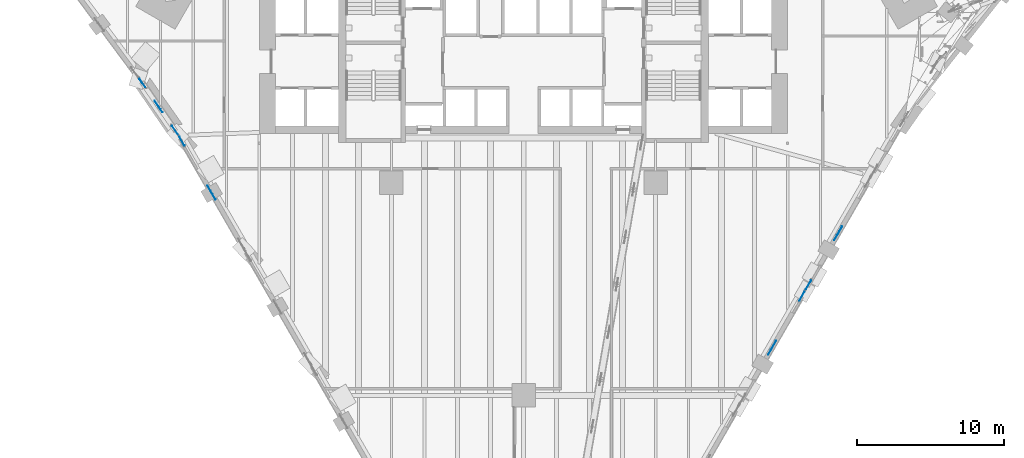
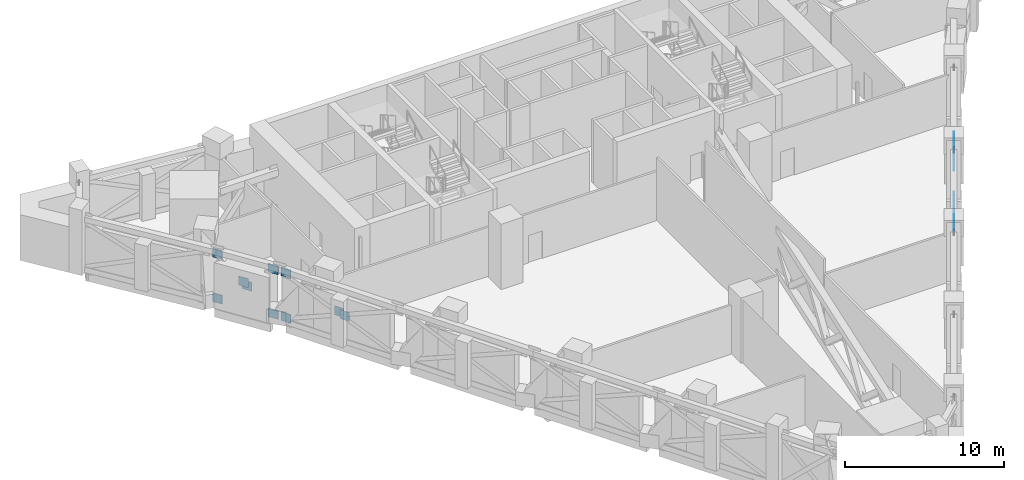
# One storey, part 18 of 22: 18 discrete accessories.
"""IFC4 building model written with IfcOpenShell, lengths in metres."""

from ifc_helpers import new_model, si_unit, direction, frame, origin, origin_2d, place, context, subcontext, project, spatial, rectangle, extrude, material, type_object, element, save


model = new_model("IFC4")

# Units and contexts
model_context = context("Model", 3, precision=1e-05, world=origin(), true_north=direction((0.0, 1.0)))
body_context = subcontext(model_context, "Body", "Model", "MODEL_VIEW")
ifc_project = project(units=[si_unit("LENGTHUNIT", "METRE"), si_unit("AREAUNIT", "SQUARE_METRE"), si_unit("VOLUMEUNIT", "CUBIC_METRE"), si_unit("PLANEANGLEUNIT", "RADIAN"), si_unit("MASSUNIT", "GRAM", prefix="KILO")], contexts=[model_context])

# Site, building, storey
site_placement = place(None, origin())
site = spatial("IfcSite", under=ifc_project, at=site_placement, CompositionType="ELEMENT")
building_placement = place(site_placement, origin())
building = spatial("IfcBuilding", under=site, at=building_placement, Name="Calabash Gate Tower", CompositionType="ELEMENT")
storey_placement = place(building_placement, frame((0.0, 0.0, 86.800048828125)))
storey = spatial("IfcBuildingStorey", under=building, at=storey_placement, Name="L18", CompositionType="ELEMENT", Elevation=86.800048828125)

# Discrete accessories
ifc_material = material(Name="Steel ASTM A572 Gr50", Category="steel")
discrete_accessory_type = type_object("IfcDiscreteAccessoryType", Name="Connection plate 25", PredefinedType="BRACKET", material=ifc_material)
for number, where, z_axis, x_axis, name in (
    (1, (18.972412109375, -5.243896484375, 3.4794921875), (0.0, 0.0, 1.0), (0.499999984885, 0.866025412511, 0.0), "Connection plate Belt diagonal L18 48 end"),
    (2, (16.849365234375, -8.9208984375, 1.85400390625), (0.0, 0.0, 1.0), (0.499999894195, 0.866025464871, 0.0), "Connection plate Belt diagonal (split) L18 49 half 1 of 2 end"),
    (3, (17.04541015625, -8.58154296875, 1.6884765625), (0.0, 0.0, 1.0), (0.499999894195, 0.866025464871, 0.0), "Connection plate Belt diagonal (split) L18 50 half 2 of 2 start"),
    (4, (18.972412109375, -5.243896484375, 0.0625), (0.0, 0.0, 1.0), (0.499999894195, 0.866025464871, 0.0), "Connection plate Belt diagonal (split) L18 50 half 2 of 2 end"),
    (5, (19.42236328125, -4.46435546875, 0.0625), (0.0, 0.0, 1.0), (0.49999993954, 0.866025438691, 0.0), "Connection plate Belt diagonal L18 53 start"),
    (6, (19.42236328125, -4.46435546875, 3.4794921875), (0.0, 0.0, 1.0), (0.499999894195, 0.866025464871, 0.0), "Connection plate Belt diagonal (split) L18 54 half 1 of 2 start"),
    (7, (21.349365234375, -1.126708984375, 1.85400390625), (0.0, 0.0, 1.0), (0.499999894195, 0.866025464871, 0.0), "Connection plate Belt diagonal (split) L18 54 half 1 of 2 end"),
    (8, (21.54541015625, -0.787109375, 1.6884765625), (0.0, 0.0, 1.0), (0.499999894195, 0.866025464871, 0.0), "Connection plate Belt diagonal (split) L18 55 half 2 of 2 start"),
    (9, (-25.9716796875, 9.281005859375, 0.0625), (0.0, 0.0, 1.0), (0.5681695745, -0.822911498652, 0.0), "Connection plate Belt diagonal L18 108 start"),
    (10, (-23.765625, 6.085693359375, 3.4794921875), (0.0, 0.0, 1.0), (0.5681695745, -0.822911498652, 0.0), "Connection plate Belt diagonal L18 108 end"),
    (11, (-25.9716796875, 9.281005859375, 3.4794921875), (0.0, 0.0, 1.0), (0.568169488325, -0.82291155815, 0.0), "Connection plate Belt diagonal (split) L18 109 half 1 of 2 start"),
    (12, (-24.934326171875, 7.778076171875, 1.87255859375), (0.0, 0.0, 1.0), (0.568169488325, -0.82291155815, 0.0), "Connection plate Belt diagonal (split) L18 109 half 1 of 2 end"),
    (13, (-24.80322265625, 7.58837890625, 1.66943359375), (0.0, 0.0, 1.0), (0.568169488325, -0.82291155815, 0.0), "Connection plate Belt diagonal (split) L18 110 half 2 of 2 start"),
    (14, (-23.765625, 6.085693359375, 0.0625), (0.0, 0.0, 1.0), (0.568169488325, -0.82291155815, 0.0), "Connection plate Belt diagonal (split) L18 110 half 2 of 2 end"),
    (15, (-23.2841796875, 5.324462890625, 0.0625), (0.0, 0.0, 1.0), (0.49999993954, -0.866025438691, 0.0), "Connection plate Belt diagonal L18 113 start"),
    (16, (-23.2841796875, 5.324462890625, 3.4794921875), (0.0, 0.0, 1.0), (0.499999894195, -0.866025464871, 0.0), "Connection plate Belt diagonal (split) L18 114 half 1 of 2 start"),
    (17, (-21.357177734375, 1.98681640625, 1.85400390625), (0.0, 0.0, 1.0), (0.499999894195, -0.866025464871, 0.0), "Connection plate Belt diagonal (split) L18 114 half 1 of 2 end"),
    (18, (-21.1611328125, 1.647216796875, 1.6884765625), (0.0, 0.0, 1.0), (0.499999894195, -0.866025464871, 0.0), "Connection plate Belt diagonal (split) L18 115 half 2 of 2 start"),
):
    element("IfcDiscreteAccessory", number, at=place(storey_placement, frame(where, z_axis=z_axis, x_axis=x_axis)), inside=storey, type_object=discrete_accessory_type, Name=name, PredefinedType="BRACKET", context=body_context, shape_type="SweptSolid", body=[
        extrude(rectangle(XDim=0.687744140625, YDim=0.02490234375, at=origin_2d()), origin(), (0.0, 0.0, 1.0), 0.687744140625),
    ])

save(model, "model.ifc")
